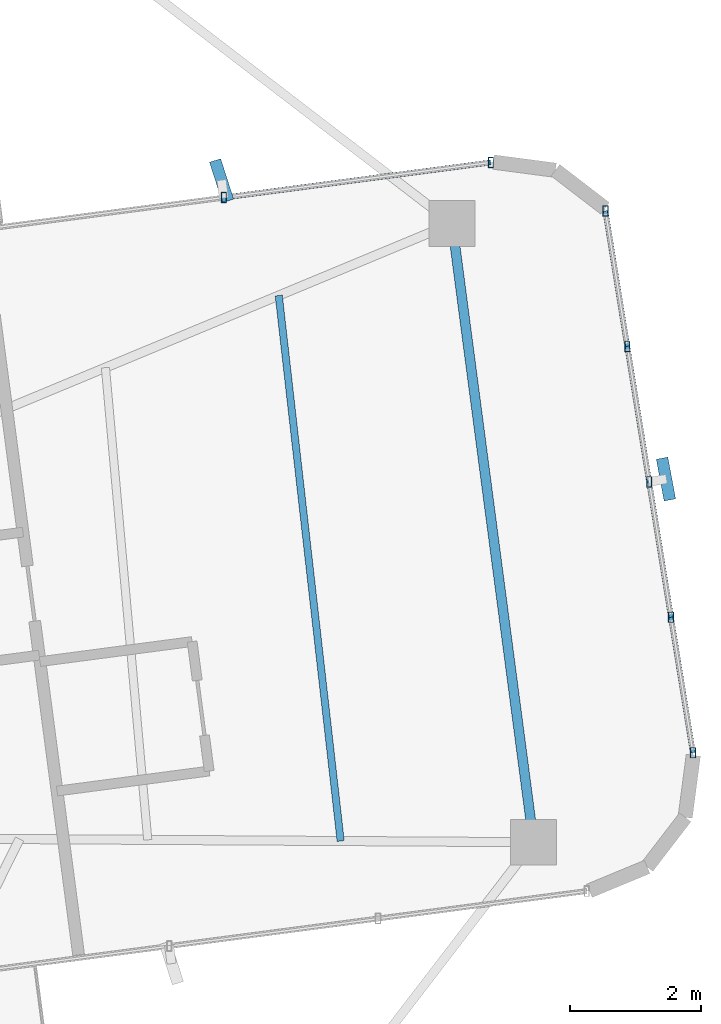
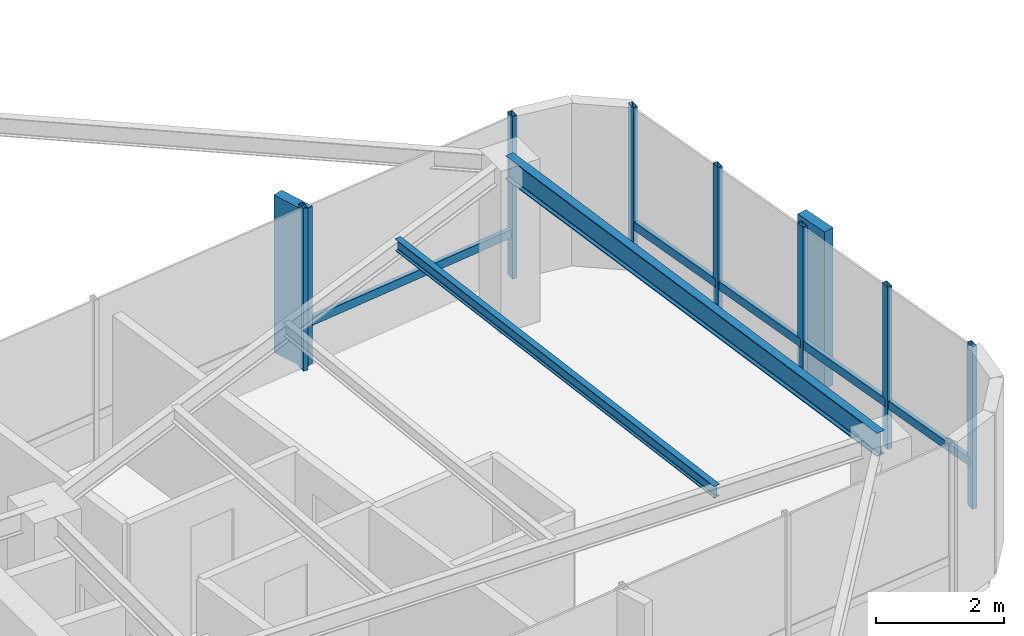
# One storey, part 13 of 22: 14 members, 2 beams, 2 elements without a shape of their own.
"""IFC4 building model written with IfcOpenShell, lengths in metres."""

from ifc_helpers import new_model, si_unit, direction, frame, origin, origin_2d, place, context, subcontext, project, spatial, rectangle, hollow_rectangle, i_section, extrude, source, transform, mapped, material, material_profile, profile_set, type_object, element, aggregate, save


model = new_model("IFC4")

# Units and contexts
model_context = context("Model", 3, precision=1e-05, world=origin(), true_north=direction((0.0, 1.0)))
body_context = subcontext(model_context, "Body", "Model", "MODEL_VIEW")
ifc_project = project(units=[si_unit("LENGTHUNIT", "METRE"), si_unit("AREAUNIT", "SQUARE_METRE"), si_unit("VOLUMEUNIT", "CUBIC_METRE"), si_unit("PLANEANGLEUNIT", "RADIAN"), si_unit("MASSUNIT", "GRAM", prefix="KILO")], contexts=[model_context])

# Site, building, storey
site_placement = place(None, origin())
site = spatial("IfcSite", under=ifc_project, at=site_placement, CompositionType="ELEMENT")
building_placement = place(site_placement, origin())
building = spatial("IfcBuilding", under=site, at=building_placement, Name="Sahyath Konkavel Grand Hotel", CompositionType="ELEMENT")
storey_placement = place(building_placement, frame((0.0, 0.0, 234.449951171875)))
storey = spatial("IfcBuildingStorey", under=building, at=storey_placement, Name="L65", CompositionType="ELEMENT", Elevation=234.449951171875)

# Beams
ifc_material_1 = material(Name="Steel E350", Category="steel")
ifc_material_profile_1 = material_profile(ifc_material_1, i_section(OverallWidth=0.14990234375, OverallDepth=0.449951171875, WebThickness=0.009521484375, FlangeThickness=0.017333984375, FilletRadius=0.014892578125, at=origin_2d()), Name="ISMB 450")
ifc_profile_set_1 = profile_set([ifc_material_profile_1], Name="Steel E350")
beam_type_1 = type_object("IfcBeamType", Name="BM-ISMB450", PredefinedType="BEAM", material=ifc_profile_set_1)
shared_shape_1 = source(origin(), body_context, "Body", "SweptSolid", [
    extrude(i_section(OverallWidth=0.14990234375, OverallDepth=0.449951171875, WebThickness=0.009521484375, FlangeThickness=0.017333984375, FilletRadius=0.014892578125, at=origin_2d()), origin(), (0.0, 0.0, 1.0), 9.557861328125),
])
beam_1_placement = place(storey_placement, frame((17.80859375, -2.4755859375, 2.885009765625), z_axis=(-0.130552303677, 0.991441423385, 0.0), x_axis=(-0.991441423385, -0.130552303677, 0.0)))
element("IfcBeam", 1, at=beam_1_placement, inside=storey, type_object=beam_type_1, Name="L65 Wing Tip Edge Beam E", PredefinedType="BEAM", context=body_context, shape_type="MappedRepresentation", body=[
    mapped(shared_shape_1, transform((0.0, 0.0, 0.0), scale=1.0)),
])
ifc_material_profile_2 = material_profile(ifc_material_1, i_section(OverallWidth=0.110107421875, OverallDepth=0.22509765625, WebThickness=0.006591796875, FlangeThickness=0.01171875, FilletRadius=0.011962890625, at=origin_2d()), Name="ISMB 225")
ifc_profile_set_2 = profile_set([ifc_material_profile_2], Name="Steel E350")
beam_type_2 = type_object("IfcBeamType", Name="BM-ISMB225", PredefinedType="BEAM", material=ifc_profile_set_2)
shared_shape_2 = source(origin(), body_context, "Body", "SweptSolid", [
    extrude(i_section(OverallWidth=0.110107421875, OverallDepth=0.22509765625, WebThickness=0.006591796875, FlangeThickness=0.01171875, FilletRadius=0.011962890625, at=origin_2d()), origin(), (0.0, 0.0, 1.0), 8.40771484375),
])
beam_2_placement = place(storey_placement, frame((14.8544921875, -2.45751953125, 2.99755859375), z_axis=(-0.112783288507, 0.99361961023, 0.0), x_axis=(-0.99361961023, -0.112783288507, 0.0)))
element("IfcBeam", 2, at=beam_2_placement, inside=storey, type_object=beam_type_2, Name="L65 Secondary Floor Beam E-3", PredefinedType="BEAM", context=body_context, shape_type="MappedRepresentation", body=[
    mapped(shared_shape_2, transform((0.0, 0.0, 0.0), scale=1.0)),
])

# Curtain wall, member
ifc_material_2 = material(Name="Anodised Bronze Aluminium & Low-E Glazing", Category="aluminium")
curtain_wall_type = type_object("IfcCurtainWallType", Name="CW-ZONE4", PredefinedType="NOTDEFINED", material=ifc_material_2)
curtain_wall_1_placement = place(storey_placement, origin())
curtain_wall_1 = element("IfcCurtainWall", 3, at=curtain_wall_1_placement, inside=storey, type_object=curtain_wall_type, Name="L65 Unitised Curtain Wall F4", PredefinedType="NOTDEFINED")
ifc_material_3 = material(Name="Warm Buff Sandstone Cladding on Concrete C50/60", Category="masonry")
ifc_material_profile_3 = material_profile(ifc_material_3, rectangle(XDim=0.179931640625, YDim=0.64990234375, at=origin_2d()), Name="FIN 180x650")
ifc_profile_set_3 = profile_set([ifc_material_profile_3], Name="Warm Buff Sandstone Cladding on Concrete C50/60")
member_type_1 = type_object("IfcMemberType", Name="FIN-SANDSTONE-650", PredefinedType="MULLION", material=ifc_profile_set_3)
shared_shape_3 = source(origin(), body_context, "Body", "SweptSolid", [
    extrude(rectangle(XDim=0.179931640625, YDim=0.64990234375, at=origin_2d()), origin(), (0.0, 0.0, 1.0), 3.010009765625),
])
member_1_placement = place(storey_placement, frame((19.8359375, 3.085693359375, 0.050048828125), z_axis=(0.0, 0.0, 1.0), x_axis=(0.982999500399, 0.183608230249, 0.0)))
member_1 = element("IfcMember", 4, at=member_1_placement, type_object=member_type_1, Name="L65 Sandstone Vertical Solar Fin FIN F4-2", PredefinedType="MULLION", context=body_context, shape_type="MappedRepresentation", body=[
    mapped(shared_shape_3, transform((0.0, 0.0, 0.0), scale=1.0)),
])

curtain_wall_2_placement = place(storey_placement, origin())
curtain_wall_2 = element("IfcCurtainWall", 5, at=curtain_wall_2_placement, inside=storey, type_object=curtain_wall_type, Name="L65 Unitised Curtain Wall F7", PredefinedType="NOTDEFINED")
member_2_placement = place(storey_placement, frame((13.030517578125, 7.6552734375, 0.050048828125), z_axis=(0.0, 0.0, 1.0), x_axis=(0.952236042525, 0.30536293049, 0.0)))
member_2 = element("IfcMember", 6, at=member_2_placement, type_object=member_type_1, Name="L65 Sandstone Vertical Solar Fin FIN F7-1", PredefinedType="MULLION", context=body_context, shape_type="MappedRepresentation", body=[
    mapped(shared_shape_3, transform((0.0, 0.0, 0.0), scale=1.0)),
])

# Member
ifc_material_4 = material(Name="Anodised Bronze Aluminium", Category="aluminium")
ifc_material_profile_4 = material_profile(ifc_material_4, hollow_rectangle(XDim=0.080078125, YDim=0.159912109375, WallThickness=0.006103515625, at=origin_2d()), Name="RHS 160x80x6")
ifc_profile_set_4 = profile_set([ifc_material_profile_4], Name="Anodised Bronze Aluminium")
member_type_2 = type_object("IfcMemberType", Name="CW-MUL-160", PredefinedType="MULLION", material=ifc_profile_set_4)
shared_shape_4 = source(origin(), body_context, "Body", "SweptSolid", [
    extrude(hollow_rectangle(XDim=0.080078125, YDim=0.159912109375, WallThickness=0.006103515625, at=origin_2d()), origin(), (0.0, 0.0, 1.0), 3.110107421875),
])
member_3_placement = place(storey_placement, frame((20.249267578125, -1.10546875, 0.0), z_axis=(0.0, 0.0, 1.0), x_axis=(1.0, 0.0, 0.0)))
member_3 = element("IfcMember", 7, at=member_3_placement, type_object=member_type_2, Name="L65 Curtain Wall Mullion F4-0", PredefinedType="MULLION", context=body_context, shape_type="MappedRepresentation", body=[
    mapped(shared_shape_4, transform((0.0, 0.0, 0.0), scale=1.0)),
])

member_4_placement = place(storey_placement, frame((19.914306640625, 0.969482421875, 0.0), z_axis=(0.0, 0.0, 1.0), x_axis=(1.0, 0.0, 0.0)))
member_4 = element("IfcMember", 8, at=member_4_placement, type_object=member_type_2, Name="L65 Curtain Wall Mullion F4-1", PredefinedType="MULLION", context=body_context, shape_type="MappedRepresentation", body=[
    mapped(shared_shape_4, transform((0.0, 0.0, 0.0), scale=1.0)),
])

member_5_placement = place(storey_placement, frame((19.5791015625, 3.044189453125, 0.0), z_axis=(0.0, 0.0, 1.0), x_axis=(1.0, 0.0, 0.0)))
member_5 = element("IfcMember", 9, at=member_5_placement, type_object=member_type_2, Name="L65 Curtain Wall Mullion F4-2", PredefinedType="MULLION", context=body_context, shape_type="MappedRepresentation", body=[
    mapped(shared_shape_4, transform((0.0, 0.0, 0.0), scale=1.0)),
])

member_6_placement = place(storey_placement, frame((19.244140625, 5.118896484375, 0.0), z_axis=(0.0, 0.0, 1.0), x_axis=(1.0, 0.0, 0.0)))
member_6 = element("IfcMember", 10, at=member_6_placement, type_object=member_type_2, Name="L65 Curtain Wall Mullion F4-3", PredefinedType="MULLION", context=body_context, shape_type="MappedRepresentation", body=[
    mapped(shared_shape_4, transform((0.0, 0.0, 0.0), scale=1.0)),
])

member_7_placement = place(storey_placement, frame((18.9091796875, 7.193603515625, 0.0), z_axis=(0.0, 0.0, 1.0), x_axis=(1.0, 0.0, 0.0)))
member_7 = element("IfcMember", 11, at=member_7_placement, type_object=member_type_2, Name="L65 Curtain Wall Mullion F4-4", PredefinedType="MULLION", context=body_context, shape_type="MappedRepresentation", body=[
    mapped(shared_shape_4, transform((0.0, 0.0, 0.0), scale=1.0)),
])

member_8_placement = place(storey_placement, frame((17.15380859375, 7.935791015625, 0.0), z_axis=(0.0, 0.0, 1.0), x_axis=(1.0, 0.0, 0.0)))
member_8 = element("IfcMember", 12, at=member_8_placement, type_object=member_type_2, Name="L65 Curtain Wall Mullion F7-0", PredefinedType="MULLION", context=body_context, shape_type="MappedRepresentation", body=[
    mapped(shared_shape_4, transform((0.0, 0.0, 0.0), scale=1.0)),
])

member_9_placement = place(storey_placement, frame((13.064453125, 7.3974609375, 0.0), z_axis=(0.0, 0.0, 1.0), x_axis=(1.0, 0.0, 0.0)))
member_9 = element("IfcMember", 13, at=member_9_placement, type_object=member_type_2, Name="L65 Curtain Wall Mullion F7-1", PredefinedType="MULLION", context=body_context, shape_type="MappedRepresentation", body=[
    mapped(shared_shape_4, transform((0.0, 0.0, 0.0), scale=1.0)),
])

ifc_material_profile_5 = material_profile(ifc_material_4, hollow_rectangle(XDim=0.080078125, YDim=0.159912109375, WallThickness=0.006103515625, at=origin_2d()), Name="RHS 160x80x6")
ifc_profile_set_5 = profile_set([ifc_material_profile_5], Name="Anodised Bronze Aluminium")
member_type_3 = type_object("IfcMemberType", Name="CW-TRN-160", PredefinedType="USERDEFINED", material=ifc_profile_set_5)
shared_shape_5 = source(origin(), body_context, "Body", "SweptSolid", [
    extrude(hollow_rectangle(XDim=0.080078125, YDim=0.159912109375, WallThickness=0.006103515625, at=origin_2d()), origin(), (0.0, 0.0, 1.0), 2.101806640625),
])
member_10_placement = place(storey_placement, frame((20.249267578125, -1.10546875, 0.85009765625), z_axis=(-0.159367561279, 0.987219317281, 0.0), x_axis=(-0.987219317281, -0.159367561279, 0.0)))
member_10 = element("IfcMember", 14, at=member_10_placement, type_object=member_type_3, Name="L65 Curtain Wall Transom F4-0-spandrel", ObjectType="TRANSOM", PredefinedType="USERDEFINED", context=body_context, shape_type="MappedRepresentation", body=[
    mapped(shared_shape_5, transform((0.0, 0.0, 0.0), scale=1.0)),
])

shared_shape_6 = source(origin(), body_context, "Body", "SweptSolid", [
    extrude(hollow_rectangle(XDim=0.080078125, YDim=0.159912109375, WallThickness=0.006103515625, at=origin_2d()), origin(), (0.0, 0.0, 1.0), 2.1015625),
])
member_11_placement = place(storey_placement, frame((19.914306640625, 0.969482421875, 0.85009765625), z_axis=(-0.159499054547, 0.987198081237, 0.0), x_axis=(-0.987198081237, -0.159499054547, 0.0)))
member_11 = element("IfcMember", 15, at=member_11_placement, type_object=member_type_3, Name="L65 Curtain Wall Transom F4-1-spandrel", ObjectType="TRANSOM", PredefinedType="USERDEFINED", context=body_context, shape_type="MappedRepresentation", body=[
    mapped(shared_shape_6, transform((0.0, 0.0, 0.0), scale=1.0)),
])

member_12_placement = place(storey_placement, frame((19.5791015625, 3.044189453125, 0.85009765625), z_axis=(-0.159385838432, 0.987216366612, 0.0), x_axis=(-0.987216366612, -0.159385838432, 0.0)))
member_12 = element("IfcMember", 16, at=member_12_placement, type_object=member_type_3, Name="L65 Curtain Wall Transom F4-2-spandrel", ObjectType="TRANSOM", PredefinedType="USERDEFINED", context=body_context, shape_type="MappedRepresentation", body=[
    mapped(shared_shape_6, transform((0.0, 0.0, 0.0), scale=1.0)),
])

member_13_placement = place(storey_placement, frame((19.244140625, 5.118896484375, 0.85009765625), z_axis=(-0.159385838432, 0.987216366612, 0.0), x_axis=(-0.987216366612, -0.159385838432, 0.0)))
member_13 = element("IfcMember", 17, at=member_13_placement, type_object=member_type_3, Name="L65 Curtain Wall Transom F4-3-spandrel", ObjectType="TRANSOM", PredefinedType="USERDEFINED", context=body_context, shape_type="MappedRepresentation", body=[
    mapped(shared_shape_6, transform((0.0, 0.0, 0.0), scale=1.0)),
])

aggregate(curtain_wall_1, [member_3, member_4, member_5, member_1, member_6, member_7, member_10, member_11, member_12, member_13])

shared_shape_7 = source(origin(), body_context, "Body", "SweptSolid", [
    extrude(hollow_rectangle(XDim=0.080078125, YDim=0.159912109375, WallThickness=0.006103515625, at=origin_2d()), origin(), (0.0, 0.0, 1.0), 4.124755859375),
])
member_14_placement = place(storey_placement, frame((17.15380859375, 7.935791015625, 0.85009765625), z_axis=(-0.991446234996, -0.130515758099, 0.0), x_axis=(0.130515758099, -0.991446234996, 0.0)))
member_14 = element("IfcMember", 18, at=member_14_placement, type_object=member_type_3, Name="L65 Curtain Wall Transom F7-0-spandrel", ObjectType="TRANSOM", PredefinedType="USERDEFINED", context=body_context, shape_type="MappedRepresentation", body=[
    mapped(shared_shape_7, transform((0.0, 0.0, 0.0), scale=1.0)),
])

aggregate(curtain_wall_2, [member_8, member_9, member_2, member_14])

save(model, "model.ifc")
